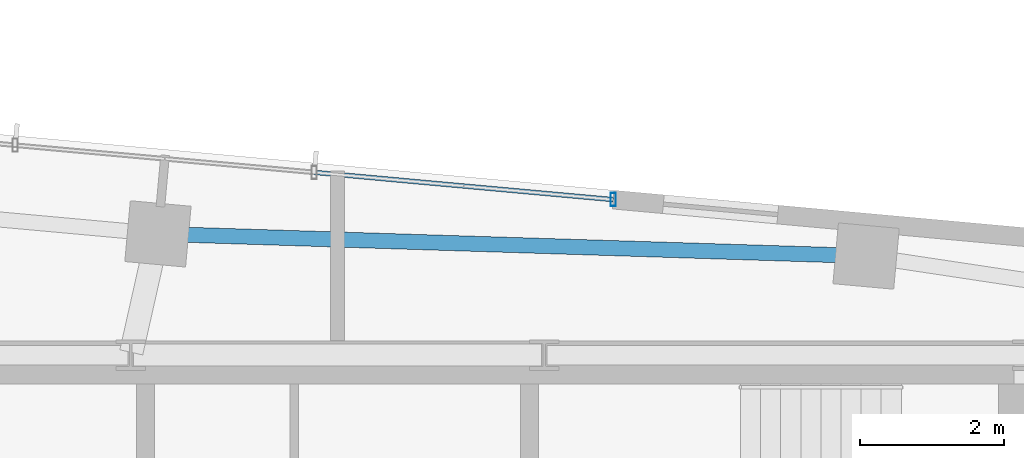
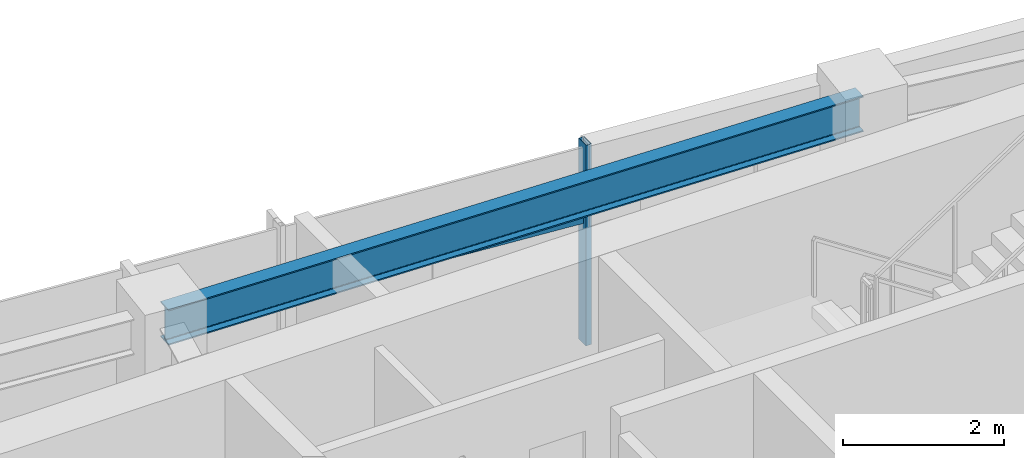
# One storey, part 11 of 22: 2 members, 1 beam, 1 element without a shape of its own.
"""IFC4 building model written with IfcOpenShell, lengths in metres."""

from ifc_helpers import new_model, si_unit, direction, frame, origin, origin_2d, place, context, subcontext, project, spatial, hollow_rectangle, i_section, extrude, source, transform, mapped, material, material_profile, profile_set, type_object, type_shapes, element, aggregate, save


model = new_model("IFC4")

# Units and contexts
model_context = context("Model", 3, precision=1e-05, world=origin(), true_north=direction((0.0, 1.0)))
body_context = subcontext(model_context, "Body", "Model", "MODEL_VIEW")
ifc_project = project(units=[si_unit("LENGTHUNIT", "METRE"), si_unit("AREAUNIT", "SQUARE_METRE"), si_unit("VOLUMEUNIT", "CUBIC_METRE"), si_unit("PLANEANGLEUNIT", "RADIAN"), si_unit("MASSUNIT", "GRAM", prefix="KILO")], contexts=[model_context])

# Site, building, storey
site_placement = place(None, origin())
site = spatial("IfcSite", under=ifc_project, at=site_placement, CompositionType="ELEMENT")
building_placement = place(site_placement, origin())
building = spatial("IfcBuilding", under=site, at=building_placement, Name="Astriad Promenade Condominiums", CompositionType="ELEMENT")
storey_placement = place(building_placement, frame((0.0, 0.0, 236.39990234375)))
storey = spatial("IfcBuildingStorey", under=building, at=storey_placement, Name="L68", CompositionType="ELEMENT", Elevation=236.39990234375)

# Beam
ifc_material_1 = material(Name="Steel ASTM A992 Grade 50", Category="steel")
ifc_material_profile_1 = material_profile(ifc_material_1, i_section(OverallWidth=0.210693359375, OverallDepth=0.53955078125, WebThickness=0.01171875, FlangeThickness=0.018798828125, FilletRadius=0.0166015625, at=origin_2d()), Name="W21X73")
ifc_profile_set_1 = profile_set([ifc_material_profile_1], Name="Steel ASTM A992 Grade 50")
beam_type = type_object("IfcBeamType", Name="STEEL SPANDREL BEAM W21X73", PredefinedType="SPANDREL", material=ifc_profile_set_1)
shared_shape_1 = source(origin(), body_context, "Body", "SweptSolid", [
    extrude(i_section(OverallWidth=0.210693359375, OverallDepth=0.53955078125, WebThickness=0.01171875, FlangeThickness=0.018798828125, FilletRadius=0.0166015625, at=origin_2d()), origin(), (0.0, 0.0, 1.0), 9.783935546875),
])
type_shapes(beam_type, [shared_shape_1])
beam_placement = place(storey_placement, frame((43.31884765625, 25.381103515625, 2.7705078125), z_axis=(-0.999511077438, 0.031266692798, 0.0), x_axis=(-0.031266692798, -0.999511077438, 0.0)))
element("IfcBeam", 1, at=beam_placement, inside=storey, type_object=beam_type, Name="Perimeter Spandrel Beam SP-N3-L68", PredefinedType="SPANDREL", context=body_context, shape_type="MappedRepresentation", body=[
    mapped(shared_shape_1, transform((0.0, 0.0, 0.0), scale=1.0)),
])

# Curtain wall, members
ifc_material_2 = material(Name="Anodised aluminium Black Dark Glass Unitised", Category="aluminium")
curtain_wall_type = type_object("IfcCurtainWallType", Name="CW-B5-DARK", PredefinedType="USERDEFINED", material=ifc_material_2)
curtain_wall_placement = place(storey_placement, origin())
curtain_wall = element("IfcCurtainWall", 2, at=curtain_wall_placement, inside=storey, type_object=curtain_wall_type, Name="CW-L68-N", ObjectType="UNITISED_CURTAIN_WALL", PredefinedType="USERDEFINED")
ifc_material_3 = material(Name="Anodised aluminium 6063-T6 Black", Category="aluminium")
ifc_material_profile_2 = material_profile(ifc_material_3, hollow_rectangle(XDim=0.06494140625, YDim=0.1298828125, WallThickness=0.00390625, at=origin_2d()), Name="ALU-TRN-65X130")
ifc_profile_set_2 = profile_set([ifc_material_profile_2], Name="Anodised aluminium 6063-T6 Black")
member_type_1 = type_object("IfcMemberType", Name="TRN-ALU-TRN-65X130", PredefinedType="USERDEFINED", material=ifc_profile_set_2)
shared_shape_2 = source(origin(), body_context, "Body", "SweptSolid", [
    extrude(hollow_rectangle(XDim=0.06494140625, YDim=0.1298828125, WallThickness=0.00390625, at=origin_2d()), origin(), (0.0, 0.0, 1.0), 4.179931640625),
])
type_shapes(member_type_1, [shared_shape_2])
member_1_placement = place(storey_placement, frame((35.67626953125, 26.54443359375, 1.885009765625), z_axis=(0.995883146811, -0.090646334165, 0.0), x_axis=(0.090646334165, 0.995883146811, 0.0)))
member_1 = element("IfcMember", 3, at=member_1_placement, type_object=member_type_1, Name="CW-L68-N-TRN-02-0", ObjectType="TRANSOM", PredefinedType="USERDEFINED", context=body_context, shape_type="MappedRepresentation", body=[
    mapped(shared_shape_2, transform((0.0, 0.0, 0.0), scale=1.0)),
])
ifc_material_profile_3 = material_profile(ifc_material_3, hollow_rectangle(XDim=0.074951171875, YDim=0.18505859375, WallThickness=0.00439453125, at=origin_2d()), Name="ALU-MUL-75X185")
ifc_profile_set_3 = profile_set([ifc_material_profile_3], Name="Anodised aluminium 6063-T6 Black")
member_type_2 = type_object("IfcMemberType", Name="MUL-ALU-MUL-75X185", PredefinedType="MULLION", material=ifc_profile_set_3)
shared_shape_3 = source(origin(), body_context, "Body", "SweptSolid", [
    extrude(hollow_rectangle(XDim=0.074951171875, YDim=0.18505859375, WallThickness=0.00439453125, at=origin_2d()), origin(), (0.0, 0.0, 1.0), 3.0400390625),
])
type_shapes(member_type_2, [shared_shape_3])
member_2_placement = place(storey_placement, frame((39.839111328125, 26.16552734375, 0.0), z_axis=(0.0, 0.0, 1.0), x_axis=(1.0, 0.0, 0.0)))
member_2 = element("IfcMember", 4, at=member_2_placement, type_object=member_type_2, Name="CW-L68-N-MUL-03", PredefinedType="MULLION", context=body_context, shape_type="MappedRepresentation", body=[
    mapped(shared_shape_3, transform((0.0, 0.0, 0.0), scale=1.0)),
])
aggregate(curtain_wall, [member_2, member_1])

save(model, "model.ifc")
